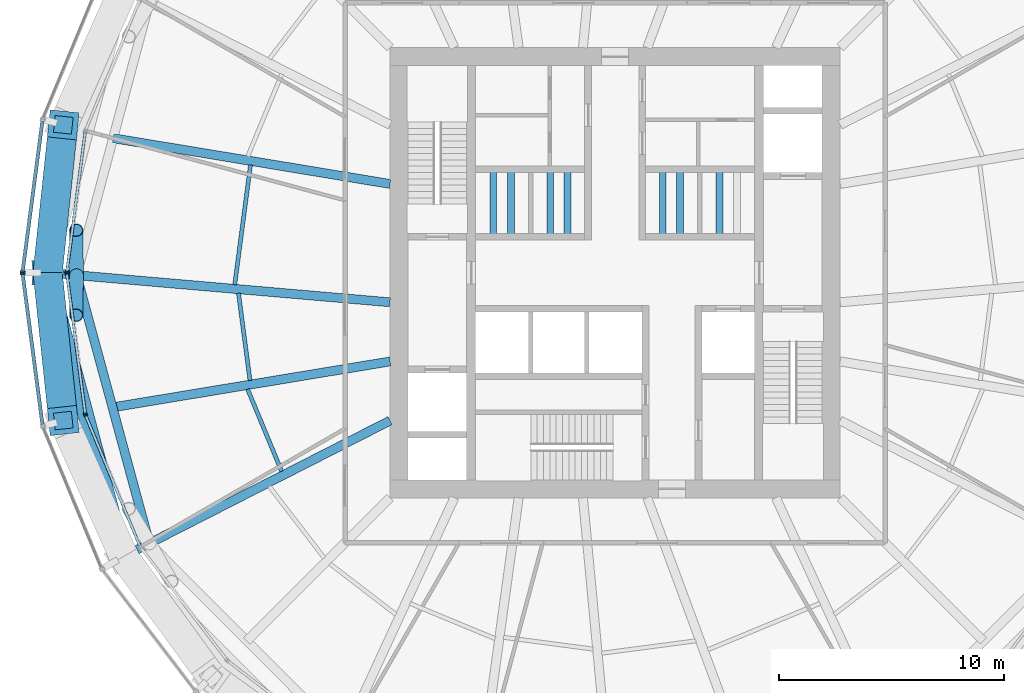
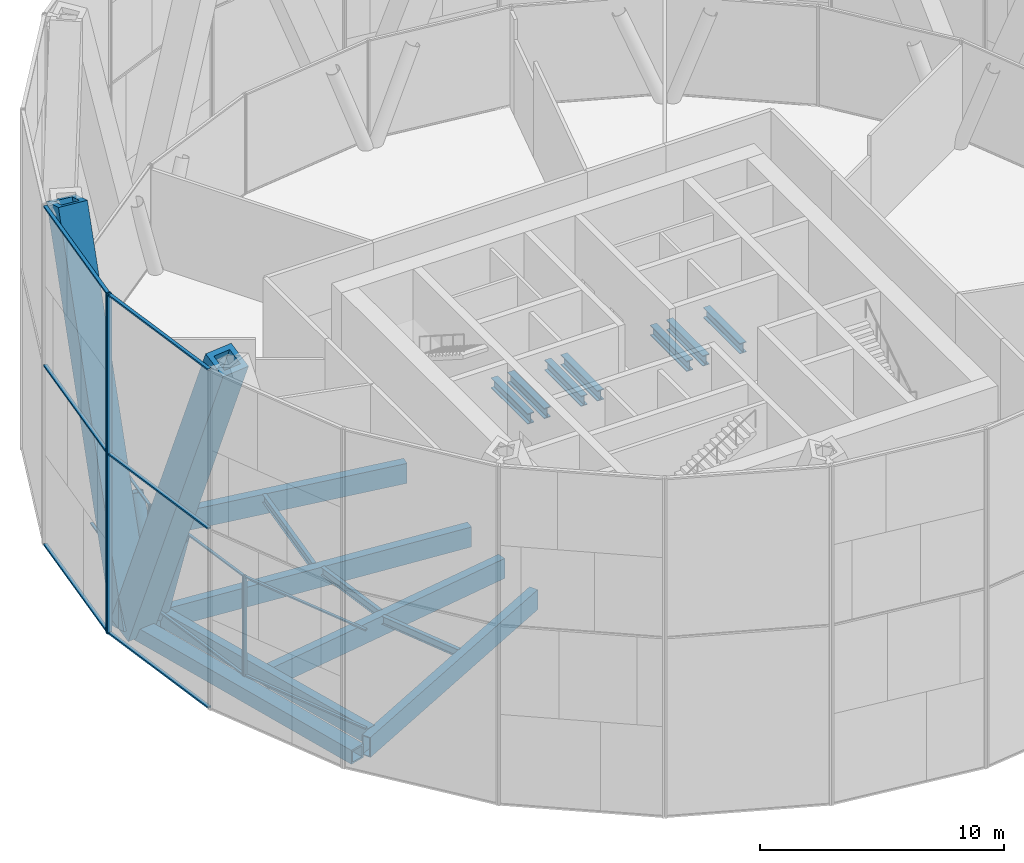
# One storey, part 3 of 16: 22 members, 16 beams, 5 elements without a shape of their own.
"""IFC4 building model written with IfcOpenShell, lengths in metres."""

from ifc_helpers import new_model, si_unit, direction, frame, origin, origin_2d, place, context, subcontext, project, spatial, rectangle, hollow_rectangle, hollow_circle, i_section, extrude, material, material_profile, profile_set, type_object, element, aggregate, save


model = new_model("IFC4")

# Units and contexts
model_context = context("Model", 3, precision=1e-05, world=origin(), true_north=direction((0.0, 1.0)))
body_context = subcontext(model_context, "Body", "Model", "MODEL_VIEW")
ifc_project = project(units=[si_unit("LENGTHUNIT", "METRE"), si_unit("AREAUNIT", "SQUARE_METRE"), si_unit("VOLUMEUNIT", "CUBIC_METRE"), si_unit("PLANEANGLEUNIT", "RADIAN"), si_unit("MASSUNIT", "GRAM", prefix="KILO")], contexts=[model_context])

# Site, building, storey
site_placement = place(None, origin())
site = spatial("IfcSite", under=ifc_project, at=site_placement, CompositionType="ELEMENT")
building_placement = place(site_placement, origin())
building = spatial("IfcBuilding", under=site, at=building_placement, Name="Golbaran Civic Tower", CompositionType="ELEMENT")
storey_placement = place(building_placement, frame((0.0, 0.0, 85.0)))
storey = spatial("IfcBuildingStorey", under=building, at=storey_placement, Name="L20", CompositionType="ELEMENT", Elevation=85.0)

# Members
ifc_material_1 = material(Name="Steel S355", Category="steel")
ifc_material_profile_1 = material_profile(ifc_material_1, hollow_circle(Radius=0.304931640625, WallThickness=0.02490234375, at=origin_2d()), Name="CHS 610.0x25")
ifc_profile_set_1 = profile_set([ifc_material_profile_1], Name="Steel S355")
member_type_1 = type_object("IfcMemberType", Name="BELT TRUSS DIAGONAL CHS 610.0x25", PredefinedType="BRACE", material=ifc_profile_set_1)
member_1_placement = place(storey_placement, frame((-23.92724609375, -0.11083984375, -0.60009765625), z_axis=(-0.003772557663, -0.334975516414, 0.942219279792), x_axis=(0.999936587579, -0.011261475097, 0.0)))
element("IfcMember", 1, at=member_1_placement, inside=storey, type_object=member_type_1, Name="Belt truss diagonal 180.00R L20", PredefinedType="BRACE", context=body_context, shape_type="SweptSolid", body=[
    extrude(hollow_circle(Radius=0.304931640625, WallThickness=0.02490234375, at=origin_2d()), origin(), (0.0, 0.0, 1.0), 5.306640625),
])
member_2_placement = place(storey_placement, frame((-23.92724609375, -0.11083984375, -0.60009765625), z_axis=(-0.003717695693, 0.371270854032, 0.928517168223), x_axis=(-0.999949869353, -0.010012930674, 0.0)))
element("IfcMember", 2, at=member_2_placement, inside=storey, type_object=member_type_1, Name="Belt truss diagonal 180.00L L20", PredefinedType="BRACE", context=body_context, shape_type="SweptSolid", body=[
    extrude(hollow_circle(Radius=0.304931640625, WallThickness=0.02490234375, at=origin_2d()), origin(), (0.0, 0.0, 1.0), 5.385009765625),
])
ifc_material_profile_2 = material_profile(ifc_material_1, hollow_rectangle(XDim=1.300048828125, YDim=1.300048828125, WallThickness=0.25, at=origin_2d()), Name="BOX 1300x1300x250")
ifc_profile_set_2 = profile_set([ifc_material_profile_2], Name="Steel S355")
member_type_2 = type_object("IfcMemberType", Name="DIAGRID DIAGONAL BOX 1300x1300x250", PredefinedType="BRACE", material=ifc_profile_set_2)
for number, where, z_axis, x_axis, name in (
    (3, (-25.2109375, 0.0, -0.7099609375), (0.038096974541, -0.360181059018, 0.932104192274), (0.994452673373, 0.105184981916, 0.0), "Diagonal D04-06R L20-L24"),
    (4, (-25.2109375, 0.0, -0.7099609375), (0.038096974541, 0.360181059018, 0.932104192274), (-0.994452673373, 0.105184981916, 0.0), "Diagonal D04-06L L20-L24"),
):
    element("IfcMember", number, at=place(storey_placement, frame(where, z_axis=z_axis, x_axis=x_axis)), inside=storey, type_object=member_type_2, Name=name, PredefinedType="BRACE", context=body_context, shape_type="SweptSolid", body=[
        extrude(hollow_rectangle(XDim=1.300048828125, YDim=1.300048828125, WallThickness=0.25, at=origin_2d()), origin(), (0.0, 0.0, 1.0), 18.23828125),
    ])

# Beams
ifc_material_profile_3 = material_profile(ifc_material_1, hollow_rectangle(XDim=0.699951171875, YDim=0.699951171875, WallThickness=0.080078125, at=origin_2d()), Name="BOX 700x700x80")
ifc_profile_set_3 = profile_set([ifc_material_profile_3], Name="Steel S355")
beam_type_1 = type_object("IfcBeamType", Name="DIAGRID RING TIE BOX 700x700x80", PredefinedType="BEAM", material=ifc_profile_set_3)
beam_1_placement = place(storey_placement, frame((-25.2109375, 0.0, -0.7099609375), z_axis=(0.258823361579, -0.965924669682, 0.0), x_axis=(0.965924669682, 0.258823361579, 0.0)))
element("IfcBeam", 5, at=beam_1_placement, inside=storey, type_object=beam_type_1, Name="Ring tie 180.00 L20", PredefinedType="BEAM", context=body_context, shape_type="SweptSolid", body=[
    extrude(hollow_rectangle(XDim=0.699951171875, YDim=0.699951171875, WallThickness=0.080078125, at=origin_2d()), origin(), (0.0, 0.0, 1.0), 13.050048828125),
])
ifc_material_profile_4 = material_profile(ifc_material_1, hollow_rectangle(XDim=0.39990234375, YDim=0.800048828125, WallThickness=0.0400390625, at=origin_2d()), Name="BOX 800x400x40")
ifc_profile_set_4 = profile_set([ifc_material_profile_4], Name="Steel S355")
beam_type_2 = type_object("IfcBeamType", Name="EDGE BEAM BOX 800x400x40", PredefinedType="BEAM", material=ifc_profile_set_4)
beam_2_placement = place(storey_placement, frame((-23.876953125, -0.2958984375, -0.60009765625), z_axis=(0.262404434499, -0.964957984969, 0.0), x_axis=(0.964957984969, 0.262404434499, 0.0)))
element("IfcBeam", 6, at=beam_2_placement, inside=storey, type_object=beam_type_2, Name="Edge beam 180.00 L20", PredefinedType="BEAM", context=body_context, shape_type="SweptSolid", body=[
    extrude(hollow_rectangle(XDim=0.39990234375, YDim=0.800048828125, WallThickness=0.0400390625, at=origin_2d()), origin(), (0.0, 0.0, 1.0), 11.9677734375),
])
ifc_material_profile_5 = material_profile(ifc_material_1, i_section(OverallWidth=0.179931640625, OverallDepth=0.39990234375, WebThickness=0.008544921875, FlangeThickness=0.013427734375, FilletRadius=0.02099609375, at=origin_2d()), Name="IPE 400")
ifc_profile_set_5 = profile_set([ifc_material_profile_5], Name="Steel S355")
beam_type_3 = type_object("IfcBeamType", Name="FLOOR INFILL BEAM IPE 400", PredefinedType="BEAM", material=ifc_profile_set_5)
beam_3_placement = place(storey_placement, frame((-16.199951171875, 4.784912109375, -0.39990234375), z_axis=(-0.130525099316, -0.991445005257, 0.0), x_axis=(0.991445005257, -0.130525099316, 0.0)))
element("IfcBeam", 7, at=beam_3_placement, inside=storey, type_object=beam_type_3, Name="Infill beam 172.50 L20", PredefinedType="BEAM", context=body_context, shape_type="SweptSolid", body=[
    extrude(i_section(OverallWidth=0.179931640625, OverallDepth=0.39990234375, WebThickness=0.008544921875, FlangeThickness=0.013427734375, FilletRadius=0.02099609375, at=origin_2d()), origin(), (0.0, 0.0, 1.0), 5.3681640625),
])
beam_4_placement = place(storey_placement, frame((-16.7314453125, -0.913330078125, -0.39990234375), z_axis=(0.130494890856, -0.991448981774, 0.0), x_axis=(0.991448981774, 0.130494890856, 0.0)))
element("IfcBeam", 8, at=beam_4_placement, inside=storey, type_object=beam_type_3, Name="Infill beam 187.50 L20", PredefinedType="BEAM", context=body_context, shape_type="SweptSolid", body=[
    extrude(i_section(OverallWidth=0.179931640625, OverallDepth=0.39990234375, WebThickness=0.008544921875, FlangeThickness=0.013427734375, FilletRadius=0.02099609375, at=origin_2d()), origin(), (0.0, 0.0, 1.0), 3.91015625),
])
beam_5_placement = place(storey_placement, frame((-16.32861328125, -5.172607421875, -0.39990234375), z_axis=(0.38270267785, -0.923871560536, 0.0), x_axis=(0.923871560536, 0.38270267785, 0.0)))
element("IfcBeam", 9, at=beam_5_placement, inside=storey, type_object=beam_type_3, Name="Infill beam 202.50 L20", PredefinedType="BEAM", context=body_context, shape_type="SweptSolid", body=[
    extrude(i_section(OverallWidth=0.179931640625, OverallDepth=0.39990234375, WebThickness=0.008544921875, FlangeThickness=0.013427734375, FilletRadius=0.02099609375, at=origin_2d()), origin(), (0.0, 0.0, 1.0), 3.953369140625),
])
ifc_material_profile_6 = material_profile(ifc_material_1, i_section(OverallWidth=0.305908203125, OverallDepth=0.52392578125, WebThickness=0.02099609375, FlangeThickness=0.0400390625, FilletRadius=0.027099609375, at=origin_2d()), Name="HEM 500")
ifc_profile_set_6 = profile_set([ifc_material_profile_6], Name="Steel S355")
beam_type_4 = type_object("IfcBeamType", Name="LIFT PIT BEAM HEM 500", PredefinedType="BEAM", material=ifc_profile_set_6)
for number, where, z_axis, x_axis, name in (
    (10, (-5.416748046875, 1.60009765625, 1.738037109375), (0.0, 1.0, 0.0), (-1.0, 0.0, 0.0), "Lift pit beam Z1M 1"),
    (11, (-4.63330078125, 1.60009765625, 1.738037109375), (0.0, 1.0, 0.0), (-1.0, 0.0, 0.0), "Lift pit beam Z1M 2"),
    (12, (-2.88330078125, 1.60009765625, 1.738037109375), (0.0, 1.0, 0.0), (-1.0, 0.0, 0.0), "Lift pit beam Z2M 1"),
    (13, (-2.11669921875, 1.60009765625, 1.738037109375), (0.0, 1.0, 0.0), (-1.0, 0.0, 0.0), "Lift pit beam Z2M 2"),
    (14, (2.11669921875, 1.60009765625, 1.738037109375), (0.0, 1.0, 0.0), (-1.0, 0.0, 0.0), "Lift pit beam Z3M 1"),
    (15, (2.88330078125, 1.60009765625, 1.738037109375), (0.0, 1.0, 0.0), (-1.0, 0.0, 0.0), "Lift pit beam Z3M 2"),
    (16, (4.63330078125, 1.60009765625, 1.738037109375), (0.0, 1.0, 0.0), (-1.0, 0.0, 0.0), "Lift pit beam Z4M 1"),
):
    element("IfcBeam", number, at=place(storey_placement, frame(where, z_axis=z_axis, x_axis=x_axis)), inside=storey, type_object=beam_type_4, Name=name, PredefinedType="BEAM", context=body_context, shape_type="SweptSolid", body=[
        extrude(i_section(OverallWidth=0.305908203125, OverallDepth=0.52392578125, WebThickness=0.02099609375, FlangeThickness=0.0400390625, FilletRadius=0.027099609375, at=origin_2d()), origin(), (0.0, 0.0, 1.0), 3.0),
    ])

# Curtain wall, member
ifc_material_2 = material(Name="Aluminium and glass", Category="aluminium")
curtain_wall_type_1 = type_object("IfcCurtainWallType", Name="OUTER SKIN TERRACOTTA SCREEN", PredefinedType="NOTDEFINED", material=ifc_material_2)
curtain_wall_1_placement = place(storey_placement, origin())
curtain_wall_1 = element("IfcCurtainWall", 17, at=curtain_wall_1_placement, inside=storey, type_object=curtain_wall_type_1, Name="Outer skin L20 facet 12 CW3", ObjectType="OUTER SKIN", PredefinedType="USERDEFINED")
ifc_material_3 = material(Name="Aluminium", Category="aluminium")
ifc_material_profile_7 = material_profile(ifc_material_3, rectangle(XDim=0.219970703125, YDim=0.080078125, at=origin_2d()), Name="OUTER SKIN TERRACOTTA SCREEN MULLION")
ifc_profile_set_7 = profile_set([ifc_material_profile_7], Name="Aluminium")
member_type_3 = type_object("IfcMemberType", Name="OUTER SKIN TERRACOTTA SCREEN MULLION", PredefinedType="MULLION", material=ifc_profile_set_7)
member_3_placement = place(storey_placement, frame((-26.32568359375, 0.03955078125, -0.7099609375), z_axis=(0.0, 0.0, 1.0), x_axis=(0.991444861374, -0.13052619222, 0.0)))
member_3 = element("IfcMember", 18, at=member_3_placement, type_object=member_type_3, Name="CW3 mullion 2", PredefinedType="MULLION", context=body_context, shape_type="SweptSolid", body=[
    extrude(rectangle(XDim=0.219970703125, YDim=0.080078125, at=origin_2d()), origin(), (0.0, 0.0, 1.0), 17.0),
])

curtain_wall_2_placement = place(storey_placement, origin())
curtain_wall_2 = element("IfcCurtainWall", 19, at=curtain_wall_2_placement, inside=storey, type_object=curtain_wall_type_1, Name="Outer skin L20 facet 13 CW3", ObjectType="OUTER SKIN", PredefinedType="USERDEFINED")
member_4_placement = place(storey_placement, frame((-26.32568359375, -0.03955078125, -0.7099609375), z_axis=(0.0, 0.0, 1.0), x_axis=(0.991444861374, 0.13052619222, 0.0)))
member_4 = element("IfcMember", 20, at=member_4_placement, type_object=member_type_3, Name="CW3 mullion 1", PredefinedType="MULLION", context=body_context, shape_type="SweptSolid", body=[
    extrude(rectangle(XDim=0.219970703125, YDim=0.080078125, at=origin_2d()), origin(), (0.0, 0.0, 1.0), 17.0),
])

# Member
ifc_material_profile_8 = material_profile(ifc_material_3, rectangle(XDim=0.159912109375, YDim=0.080078125, at=origin_2d()), Name="OUTER SKIN TERRACOTTA SCREEN TRANSOM")
ifc_profile_set_8 = profile_set([ifc_material_profile_8], Name="Aluminium")
member_type_4 = type_object("IfcMemberType", Name="OUTER SKIN TERRACOTTA SCREEN TRANSOM", PredefinedType="USERDEFINED", material=ifc_profile_set_8)
member_5_placement = place(storey_placement, frame((-25.4443359375, 6.735595703125, -0.669921875), z_axis=(-0.130512834459, -0.991446619865, 0.0), x_axis=(0.991446619865, -0.130512834459, 0.0)))
member_5 = element("IfcMember", 21, at=member_5_placement, type_object=member_type_4, Name="CW3 transom 1.1", ObjectType="TRANSOM", PredefinedType="USERDEFINED", context=body_context, shape_type="SweptSolid", body=[
    extrude(rectangle(XDim=0.159912109375, YDim=0.080078125, at=origin_2d()), origin(), (0.0, 0.0, 1.0), 6.713623046875),
])

member_6_placement = place(storey_placement, frame((-25.4443359375, 6.735595703125, 8.2900390625), z_axis=(-0.130512834459, -0.991446619865, 0.0), x_axis=(0.991446619865, -0.130512834459, 0.0)))
member_6 = element("IfcMember", 22, at=member_6_placement, type_object=member_type_4, Name="CW3 transom 1.2", ObjectType="TRANSOM", PredefinedType="USERDEFINED", context=body_context, shape_type="SweptSolid", body=[
    extrude(rectangle(XDim=0.159912109375, YDim=0.080078125, at=origin_2d()), origin(), (0.0, 0.0, 1.0), 6.713623046875),
])

member_7_placement = place(storey_placement, frame((-25.4443359375, 6.735595703125, 16.25), z_axis=(-0.130512834459, -0.991446619865, 0.0), x_axis=(0.991446619865, -0.130512834459, 0.0)))
member_7 = element("IfcMember", 23, at=member_7_placement, type_object=member_type_4, Name="CW3 transom 1.3", ObjectType="TRANSOM", PredefinedType="USERDEFINED", context=body_context, shape_type="SweptSolid", body=[
    extrude(rectangle(XDim=0.159912109375, YDim=0.080078125, at=origin_2d()), origin(), (0.0, 0.0, 1.0), 6.713623046875),
])

aggregate(curtain_wall_1, [member_3, member_5, member_6, member_7])

member_8_placement = place(storey_placement, frame((-26.320556640625, -0.079345703125, -0.669921875), z_axis=(0.130512834459, -0.991446619865, 0.0), x_axis=(0.991446619865, 0.130512834459, 0.0)))
member_8 = element("IfcMember", 24, at=member_8_placement, type_object=member_type_4, Name="CW3 transom 1.1", ObjectType="TRANSOM", PredefinedType="USERDEFINED", context=body_context, shape_type="SweptSolid", body=[
    extrude(rectangle(XDim=0.159912109375, YDim=0.080078125, at=origin_2d()), origin(), (0.0, 0.0, 1.0), 6.713623046875),
])

member_9_placement = place(storey_placement, frame((-26.320556640625, -0.079345703125, 8.2900390625), z_axis=(0.130512834459, -0.991446619865, 0.0), x_axis=(0.991446619865, 0.130512834459, 0.0)))
member_9 = element("IfcMember", 25, at=member_9_placement, type_object=member_type_4, Name="CW3 transom 1.2", ObjectType="TRANSOM", PredefinedType="USERDEFINED", context=body_context, shape_type="SweptSolid", body=[
    extrude(rectangle(XDim=0.159912109375, YDim=0.080078125, at=origin_2d()), origin(), (0.0, 0.0, 1.0), 6.713623046875),
])

member_10_placement = place(storey_placement, frame((-26.320556640625, -0.079345703125, 16.25), z_axis=(0.130512834459, -0.991446619865, 0.0), x_axis=(0.991446619865, 0.130512834459, 0.0)))
member_10 = element("IfcMember", 26, at=member_10_placement, type_object=member_type_4, Name="CW3 transom 1.3", ObjectType="TRANSOM", PredefinedType="USERDEFINED", context=body_context, shape_type="SweptSolid", body=[
    extrude(rectangle(XDim=0.159912109375, YDim=0.080078125, at=origin_2d()), origin(), (0.0, 0.0, 1.0), 6.713623046875),
])

aggregate(curtain_wall_2, [member_4, member_8, member_9, member_10])

# Curtain wall, member
curtain_wall_type_2 = type_object("IfcCurtainWallType", Name="PLANT FLOOR LOUVRE WALL", PredefinedType="NOTDEFINED", material=ifc_material_2)
curtain_wall_3_placement = place(storey_placement, origin())
curtain_wall_3 = element("IfcCurtainWall", 27, at=curtain_wall_3_placement, inside=storey, type_object=curtain_wall_type_2, Name="Inner skin L20 facet 12 CW6", ObjectType="PLANT LOUVRE WALL", PredefinedType="USERDEFINED")
ifc_material_profile_9 = material_profile(ifc_material_3, rectangle(XDim=0.159912109375, YDim=0.070068359375, at=origin_2d()), Name="PLANT FLOOR LOUVRE WALL MULLION")
ifc_profile_set_9 = profile_set([ifc_material_profile_9], Name="Aluminium")
member_type_5 = type_object("IfcMemberType", Name="PLANT FLOOR LOUVRE WALL MULLION", PredefinedType="MULLION", material=ifc_profile_set_9)
member_11_placement = place(storey_placement, frame((-24.361328125, 0.03466796875, 0.0), z_axis=(0.0, 0.0, 1.0), x_axis=(0.991444861367, -0.130526192272, 0.0)))
member_11 = element("IfcMember", 28, at=member_11_placement, type_object=member_type_5, Name="CW6 mullion 2", PredefinedType="MULLION", context=body_context, shape_type="SweptSolid", body=[
    extrude(rectangle(XDim=0.159912109375, YDim=0.070068359375, at=origin_2d()), origin(), (0.0, 0.0, 1.0), 5.0),
])

# Curtain wall, members
curtain_wall_4_placement = place(storey_placement, origin())
curtain_wall_4 = element("IfcCurtainWall", 29, at=curtain_wall_4_placement, inside=storey, type_object=curtain_wall_type_2, Name="Inner skin L20 facet 13 CW6", ObjectType="PLANT LOUVRE WALL", PredefinedType="USERDEFINED")
member_12_placement = place(storey_placement, frame((-24.361328125, -0.03466796875, 0.0), z_axis=(0.0, 0.0, 1.0), x_axis=(0.991444861367, 0.130526192272, 0.0)))
member_12 = element("IfcMember", 30, at=member_12_placement, type_object=member_type_5, Name="CW6 mullion 1", PredefinedType="MULLION", context=body_context, shape_type="SweptSolid", body=[
    extrude(rectangle(XDim=0.159912109375, YDim=0.070068359375, at=origin_2d()), origin(), (0.0, 0.0, 1.0), 5.0),
])
member_13_placement = place(storey_placement, frame((-23.540283203125, -6.271728515625, 0.0), z_axis=(0.0, 0.0, 1.0), x_axis=(0.991444861367, 0.130526192272, 0.0)))
member_13 = element("IfcMember", 31, at=member_13_placement, type_object=member_type_5, Name="CW6 mullion 2", PredefinedType="MULLION", context=body_context, shape_type="SweptSolid", body=[
    extrude(rectangle(XDim=0.159912109375, YDim=0.070068359375, at=origin_2d()), origin(), (0.0, 0.0, 1.0), 5.0),
])

# Curtain wall, member
curtain_wall_5_placement = place(storey_placement, origin())
curtain_wall_5 = element("IfcCurtainWall", 32, at=curtain_wall_5_placement, inside=storey, type_object=curtain_wall_type_2, Name="Inner skin L20 facet 14 CW6", ObjectType="PLANT LOUVRE WALL", PredefinedType="USERDEFINED")
member_14_placement = place(storey_placement, frame((-23.5224609375, -6.338623046875, 0.0), z_axis=(0.0, 0.0, 1.0), x_axis=(0.923879532551, 0.382683432268, 0.0)))
member_14 = element("IfcMember", 33, at=member_14_placement, type_object=member_type_5, Name="CW6 mullion 1", PredefinedType="MULLION", context=body_context, shape_type="SweptSolid", body=[
    extrude(rectangle(XDim=0.159912109375, YDim=0.070068359375, at=origin_2d()), origin(), (0.0, 0.0, 1.0), 5.0),
])

# Member
ifc_material_profile_10 = material_profile(ifc_material_3, rectangle(XDim=0.1201171875, YDim=0.070068359375, at=origin_2d()), Name="PLANT FLOOR LOUVRE WALL TRANSOM")
ifc_profile_set_10 = profile_set([ifc_material_profile_10], Name="Aluminium")
member_type_6 = type_object("IfcMemberType", Name="PLANT FLOOR LOUVRE WALL TRANSOM", PredefinedType="USERDEFINED", material=ifc_profile_set_10)
member_15_placement = place(storey_placement, frame((-23.544921875, 6.237060546875, 0.034912109375), z_axis=(-0.130528620731, -0.991444541651, 0.0), x_axis=(0.991444541651, -0.130528620731, 0.0)))
member_15 = element("IfcMember", 34, at=member_15_placement, type_object=member_type_6, Name="CW6 transom 1.1", ObjectType="TRANSOM", PredefinedType="USERDEFINED", context=body_context, shape_type="SweptSolid", body=[
    extrude(rectangle(XDim=0.1201171875, YDim=0.070068359375, at=origin_2d()), origin(), (0.0, 0.0, 1.0), 6.220947265625),
])

member_16_placement = place(storey_placement, frame((-23.544921875, 6.237060546875, 4.965087890625), z_axis=(-0.130528620731, -0.991444541651, 0.0), x_axis=(0.991444541651, -0.130528620731, 0.0)))
member_16 = element("IfcMember", 35, at=member_16_placement, type_object=member_type_6, Name="CW6 transom 1.2", ObjectType="TRANSOM", PredefinedType="USERDEFINED", context=body_context, shape_type="SweptSolid", body=[
    extrude(rectangle(XDim=0.1201171875, YDim=0.070068359375, at=origin_2d()), origin(), (0.0, 0.0, 1.0), 6.220947265625),
])

aggregate(curtain_wall_3, [member_11, member_15, member_16])

member_17_placement = place(storey_placement, frame((-24.35693359375, -0.0693359375, 0.034912109375), z_axis=(0.130528620731, -0.991444541651, 0.0), x_axis=(0.991444541651, 0.130528620731, 0.0)))
member_17 = element("IfcMember", 36, at=member_17_placement, type_object=member_type_6, Name="CW6 transom 1.1", ObjectType="TRANSOM", PredefinedType="USERDEFINED", context=body_context, shape_type="SweptSolid", body=[
    extrude(rectangle(XDim=0.1201171875, YDim=0.070068359375, at=origin_2d()), origin(), (0.0, 0.0, 1.0), 6.220947265625),
])

member_18_placement = place(storey_placement, frame((-24.35693359375, -0.0693359375, 4.965087890625), z_axis=(0.130528620731, -0.991444541651, 0.0), x_axis=(0.991444541651, 0.130528620731, 0.0)))
member_18 = element("IfcMember", 37, at=member_18_placement, type_object=member_type_6, Name="CW6 transom 1.2", ObjectType="TRANSOM", PredefinedType="USERDEFINED", context=body_context, shape_type="SweptSolid", body=[
    extrude(rectangle(XDim=0.1201171875, YDim=0.070068359375, at=origin_2d()), origin(), (0.0, 0.0, 1.0), 6.220947265625),
])

aggregate(curtain_wall_4, [member_12, member_13, member_17, member_18])

member_19_placement = place(storey_placement, frame((-23.509033203125, -6.37109375, 0.034912109375), z_axis=(0.382683383062, -0.923879552933, 0.0), x_axis=(0.923879552933, 0.382683383062, 0.0)))
member_19 = element("IfcMember", 38, at=member_19_placement, type_object=member_type_6, Name="CW6 transom 1.1", ObjectType="TRANSOM", PredefinedType="USERDEFINED", context=body_context, shape_type="SweptSolid", body=[
    extrude(rectangle(XDim=0.1201171875, YDim=0.070068359375, at=origin_2d()), origin(), (0.0, 0.0, 1.0), 6.220947265625),
])

member_20_placement = place(storey_placement, frame((-23.509033203125, -6.37109375, 4.965087890625), z_axis=(0.382683383062, -0.923879552933, 0.0), x_axis=(0.923879552933, 0.382683383062, 0.0)))
member_20 = element("IfcMember", 39, at=member_20_placement, type_object=member_type_6, Name="CW6 transom 1.2", ObjectType="TRANSOM", PredefinedType="USERDEFINED", context=body_context, shape_type="SweptSolid", body=[
    extrude(rectangle(XDim=0.1201171875, YDim=0.070068359375, at=origin_2d()), origin(), (0.0, 0.0, 1.0), 6.220947265625),
])

aggregate(curtain_wall_5, [member_14, member_19, member_20])

# Beams
ifc_material_profile_11 = material_profile(ifc_material_1, hollow_rectangle(XDim=0.39990234375, YDim=1.0, WallThickness=0.0400390625, at=origin_2d()), Name="BOX 1000x400x40")
ifc_profile_set_11 = profile_set([ifc_material_profile_11], Name="Steel S355")
beam_type_5 = type_object("IfcBeamType", Name="RADIAL FLOOR BEAM BOX 1000x400x40", PredefinedType="BEAM", material=ifc_profile_set_11)
beam_6_placement = place(storey_placement, frame((-10.0, -1.314208984375, -0.7099609375), z_axis=(-0.996289079851, 0.086070142151, 0.0), x_axis=(-0.086070142151, -0.996289079851, 0.0)))
element("IfcBeam", 40, at=beam_6_placement, inside=storey, type_object=beam_type_5, Name="Radial beam 180.00 L20", PredefinedType="BEAM", context=body_context, shape_type="SweptSolid", body=[
    extrude(hollow_rectangle(XDim=0.39990234375, YDim=1.0, WallThickness=0.0400390625, at=origin_2d()), origin(), (0.0, 0.0, 1.0), 14.593994140625),
])
beam_7_placement = place(storey_placement, frame((-10.0, -6.571533203125, -0.7099609375), z_axis=(-0.890865453521, -0.454267260237, 0.0), x_axis=(0.454267260237, -0.890865453521, 0.0)))
element("IfcBeam", 41, at=beam_7_placement, inside=storey, type_object=beam_type_5, Name="Radial beam 210.00 L20", PredefinedType="BEAM", context=body_context, shape_type="SweptSolid", body=[
    extrude(hollow_rectangle(XDim=0.39990234375, YDim=1.0, WallThickness=0.0400390625, at=origin_2d()), origin(), (0.0, 0.0, 1.0), 12.615234375),
])
ifc_material_profile_12 = material_profile(ifc_material_1, hollow_rectangle(XDim=0.39990234375, YDim=1.0, WallThickness=0.0400390625, at=origin_2d()), Name="BOX 1000x400x40")
ifc_profile_set_12 = profile_set([ifc_material_profile_12], Name="Steel S355")
beam_type_6 = type_object("IfcBeamType", Name="SECONDARY FLOOR BEAM BOX 1000x400x40", PredefinedType="BEAM", material=ifc_profile_set_12)
beam_8_placement = place(storey_placement, frame((-10.0, 3.94287109375, -0.7099609375), z_axis=(-0.986619476877, 0.163039896487, 0.0), x_axis=(-0.163039896487, -0.986619476877, 0.0)))
element("IfcBeam", 42, at=beam_8_placement, inside=storey, type_object=beam_type_6, Name="Secondary beam 165.00 L20", PredefinedType="BEAM", context=body_context, shape_type="SweptSolid", body=[
    extrude(hollow_rectangle(XDim=0.39990234375, YDim=1.0, WallThickness=0.0400390625, at=origin_2d()), origin(), (0.0, 0.0, 1.0), 12.468994140625),
])
beam_9_placement = place(storey_placement, frame((-10.0, -3.94287109375, -0.7099609375), z_axis=(-0.986581755534, -0.16326799946, 0.0), x_axis=(0.16326799946, -0.986581755534, 0.0)))
element("IfcBeam", 43, at=beam_9_placement, inside=storey, type_object=beam_type_6, Name="Secondary beam 195.00 L20", PredefinedType="BEAM", context=body_context, shape_type="SweptSolid", body=[
    extrude(hollow_rectangle(XDim=0.39990234375, YDim=1.0, WallThickness=0.0400390625, at=origin_2d()), origin(), (0.0, 0.0, 1.0), 12.498046875),
])

save(model, "model.ifc")
